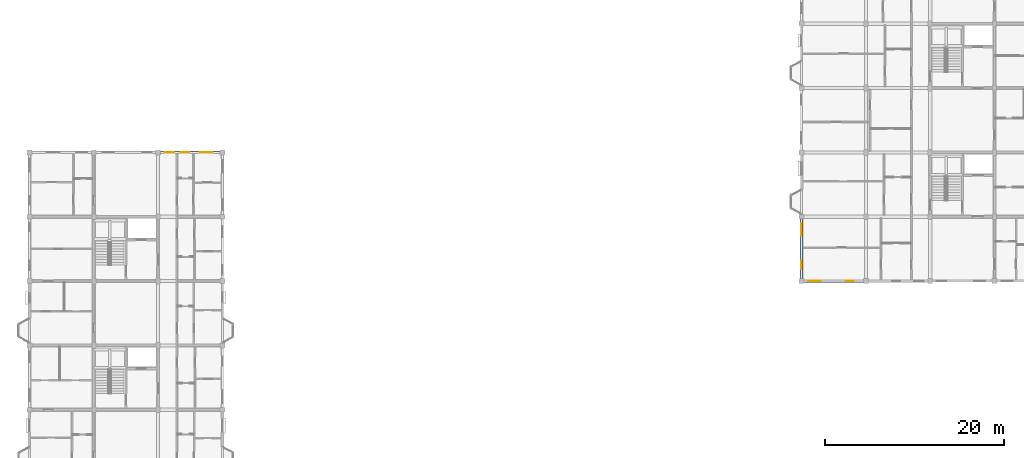
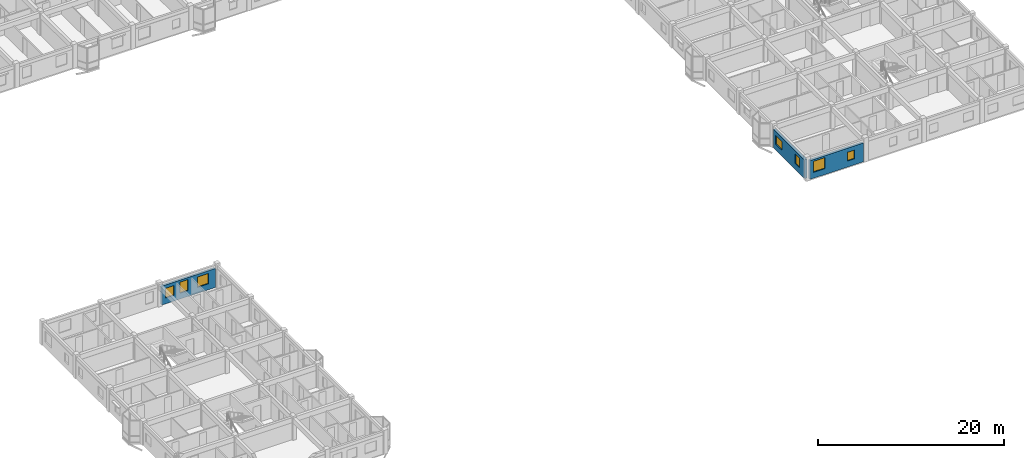
# One storey, part 59 of 77: 7 windows, 3 walls, 7 openings.
"""IFC4 building model written with IfcOpenShell, lengths in metres."""

from ifc_helpers import new_model, si_unit, direction, frame, frame_2d, origin, place, context, subcontext, project, spatial, rectangle, extrude, material, layer, layer_set, type_object, element, fill, save


model = new_model("IFC4")

# Units and contexts
model_context = context("Model", 3, precision=1e-05, world=origin(), true_north=direction((0.0, 1.0)))
body_context = subcontext(model_context, "Body", "Model", "MODEL_VIEW")
ifc_project = project(units=[si_unit("LENGTHUNIT", "METRE"), si_unit("AREAUNIT", "SQUARE_METRE"), si_unit("VOLUMEUNIT", "CUBIC_METRE"), si_unit("PLANEANGLEUNIT", "RADIAN"), si_unit("MASSUNIT", "GRAM", prefix="KILO"), si_unit("THERMODYNAMICTEMPERATUREUNIT", "KELVIN"), si_unit("POWERUNIT", "WATT")], contexts=[model_context])

# Site, building, storey
site_placement = place(None, origin())
site = spatial("IfcSite", under=ifc_project, at=site_placement, CompositionType="ELEMENT")
building_placement = place(site_placement, origin())
building = spatial("IfcBuilding", under=site, at=building_placement, Name="Tavuni Mirador Residences", CompositionType="ELEMENT")
storey_placement = place(building_placement, frame((0.0, 0.0, 10.800048828125)))
storey = spatial("IfcBuildingStorey", under=building, at=storey_placement, Name="L03", CompositionType="ELEMENT", Elevation=10.800048828125)

# Wall, openings, windows
ifc_material_1 = material(Name="Sgraffito lime-rendered precast concrete C40/50", Category="concrete")
ifc_layer_1 = layer(ifc_material_1, 0.2548828125, Name="Sgraffito lime-rendered precast concrete C40/50", Category="concrete")
ifc_layer_set_1 = layer_set([ifc_layer_1], Name="Sgraffito lime-rendered precast concrete C40/50")
wall_type_1 = type_object("IfcWallType", Name="WT-EXT-PC255", PredefinedType="SOLIDWALL", material=ifc_layer_set_1)
wall_1_placement = place(storey_placement, frame((24.925048828125, 100.800048828125, 0.0), z_axis=(0.0, 0.0, 1.0), x_axis=(-1.0, 0.0, 0.0)))
wall_1 = element("IfcWall", 1, at=wall_1_placement, inside=storey, type_object=wall_type_1, Name="EW-BLK-B-L03-N02", PredefinedType="SOLIDWALL", context=body_context, shape_type="SweptSolid", body=[
    extrude(rectangle(XDim=6.650146484375, YDim=0.2548828125, at=frame_2d((3.3251953125, 0.0))), origin(), (0.0, 0.0, 1.0), 2.47998046875),
])
opening_1_placement = place(wall_1_placement, frame((0.862548828125, 0.0, 0.780029296875)))
opening_1 = element("IfcOpeningElement", 2, at=opening_1_placement, cuts=wall_1, Name="Opening WN-23", PredefinedType="OPENING", context=body_context, shape_type="SweptSolid", body=[
    extrude(rectangle(XDim=1.3798828125, YDim=1.360107421875, at=frame_2d((0.68994140625, 0.68017578125))), frame((0.0, 0.137451171875, 0.0), z_axis=(0.0, -1.0, 0.0), x_axis=(1.0, 0.0, 0.0)), (0.0, 0.0, 1.0), 0.27490234375),
])
opening_2_placement = place(wall_1_placement, frame((3.425048828125, 0.0, 0.780029296875)))
opening_2 = element("IfcOpeningElement", 3, at=opening_2_placement, cuts=wall_1, Name="Opening WN-25", PredefinedType="OPENING", context=body_context, shape_type="SweptSolid", body=[
    extrude(rectangle(XDim=0.93994140625, YDim=1.43994140625, at=frame_2d((0.469970703125, 0.719970703125))), frame((0.0, 0.137451171875, 0.0), z_axis=(0.0, -1.0, 0.0), x_axis=(1.0, 0.0, 0.0)), (0.0, 0.0, 1.0), 0.27490234375),
])
opening_3_placement = place(wall_1_placement, frame((5.1474609375, 0.0, 0.780029296875)))
opening_3 = element("IfcOpeningElement", 4, at=opening_3_placement, cuts=wall_1, Name="Opening WN-11", PredefinedType="OPENING", context=body_context, shape_type="SweptSolid", body=[
    extrude(rectangle(XDim=1.0400390625, YDim=1.260009765625, at=frame_2d((0.52001953125, 0.6298828125))), frame((0.0, 0.137451171875, 0.0), z_axis=(0.0, -1.0, 0.0), x_axis=(1.0, 0.0, 0.0)), (0.0, 0.0, 1.0), 0.27490234375),
])
ifc_material_2 = material(Name="Laminated solar-control glass", Category="glass")
window_type_1 = type_object("IfcWindowType", Name="WNT-11", PartitioningType="SINGLE_PANEL", PredefinedType="WINDOW", material=ifc_material_2)
window_1_placement = place(opening_3_placement, origin())
window_1 = element("IfcWindow", 5, at=window_1_placement, inside=storey, type_object=window_type_1, Name="WIN-0651", OverallHeight=1.260009765625, OverallWidth=1.0400390625, PartitioningType="SINGLE_PANEL", PredefinedType="WINDOW", context=body_context, shape_type="SweptSolid", body=[
    extrude(rectangle(XDim=1.0400390625, YDim=1.260009765625, at=frame_2d((0.52001953125, 0.6298828125))), frame((0.0, 0.030029296875, 0.0), z_axis=(0.0, -1.0, 0.0), x_axis=(1.0, 0.0, 0.0)), (0.0, 0.0, 1.0), 0.06005859375),
])
fill(opening_3, window_1)
window_type_2 = type_object("IfcWindowType", Name="WNT-23", PartitioningType="SINGLE_PANEL", PredefinedType="WINDOW", material=ifc_material_2)
window_2_placement = place(opening_1_placement, origin())
window_2 = element("IfcWindow", 6, at=window_2_placement, inside=storey, type_object=window_type_2, Name="WIN-0649", OverallHeight=1.360107421875, OverallWidth=1.3798828125, PartitioningType="SINGLE_PANEL", PredefinedType="WINDOW", context=body_context, shape_type="SweptSolid", body=[
    extrude(rectangle(XDim=1.3798828125, YDim=1.360107421875, at=frame_2d((0.68994140625, 0.68017578125))), frame((0.0, 0.030029296875, 0.0), z_axis=(0.0, -1.0, 0.0), x_axis=(1.0, 0.0, 0.0)), (0.0, 0.0, 1.0), 0.06005859375),
])
fill(opening_1, window_2)
window_type_3 = type_object("IfcWindowType", Name="WNT-25", PartitioningType="SINGLE_PANEL", PredefinedType="WINDOW", material=ifc_material_2)
window_3_placement = place(opening_2_placement, origin())
window_3 = element("IfcWindow", 7, at=window_3_placement, inside=storey, type_object=window_type_3, Name="WIN-0650", OverallHeight=1.43994140625, OverallWidth=0.93994140625, PartitioningType="SINGLE_PANEL", PredefinedType="WINDOW", context=body_context, shape_type="SweptSolid", body=[
    extrude(rectangle(XDim=0.93994140625, YDim=1.43994140625, at=frame_2d((0.469970703125, 0.719970703125))), frame((0.0, 0.030029296875, 0.0), z_axis=(0.0, -1.0, 0.0), x_axis=(1.0, 0.0, 0.0)), (0.0, 0.0, 1.0), 0.06005859375),
])
fill(opening_2, window_3)

ifc_layer_2 = layer(ifc_material_1, 0.2900390625, Name="Sgraffito lime-rendered precast concrete C40/50", Category="concrete")
ifc_layer_set_2 = layer_set([ifc_layer_2], Name="Sgraffito lime-rendered precast concrete C40/50")
wall_type_2 = type_object("IfcWallType", Name="WT-EXT-PC290", PredefinedType="SOLIDWALL", material=ifc_layer_set_2)
wall_2_placement = place(storey_placement, frame((90.27490234375, 86.39990234375, 0.0), z_axis=(0.0, 0.0, 1.0), x_axis=(1.0, 0.0, 0.0)))
wall_2 = element("IfcWall", 8, at=wall_2_placement, inside=storey, type_object=wall_type_2, Name="EW-BLK-D-L03-S00", PredefinedType="SOLIDWALL", context=body_context, shape_type="SweptSolid", body=[
    extrude(rectangle(XDim=6.650146484375, YDim=0.2900390625, at=frame_2d((3.3251953125, 0.0))), origin(), (0.0, 0.0, 1.0), 2.4599609375),
])
opening_4_placement = place(wall_2_placement, frame((0.449951171875, 0.0, 0.780029296875)))
opening_4 = element("IfcOpeningElement", 9, at=opening_4_placement, cuts=wall_2, Name="Opening WN-30", PredefinedType="OPENING", context=body_context, shape_type="SweptSolid", body=[
    extrude(rectangle(XDim=1.449951171875, YDim=1.43994140625, at=frame_2d((0.72509765625, 0.719970703125))), frame((0.0, 0.155029296875, 0.0), z_axis=(0.0, -1.0, 0.0), x_axis=(1.0, 0.0, 0.0)), (0.0, 0.0, 1.0), 0.31005859375),
])
opening_5_placement = place(wall_2_placement, frame((4.64990234375, 0.0, 0.780029296875)))
opening_5 = element("IfcOpeningElement", 10, at=opening_5_placement, cuts=wall_2, Name="Opening WN-02", PredefinedType="OPENING", context=body_context, shape_type="SweptSolid", body=[
    extrude(rectangle(XDim=0.919921875, YDim=1.14990234375, at=frame_2d((0.4599609375, 0.574951171875))), frame((0.0, 0.155029296875, 0.0), z_axis=(0.0, -1.0, 0.0), x_axis=(1.0, 0.0, 0.0)), (0.0, 0.0, 1.0), 0.31005859375),
])
window_type_4 = type_object("IfcWindowType", Name="WNT-02", PartitioningType="SINGLE_PANEL", PredefinedType="WINDOW", material=ifc_material_2)
window_4_placement = place(opening_5_placement, origin())
window_4 = element("IfcWindow", 11, at=window_4_placement, inside=storey, type_object=window_type_4, Name="WIN-1527", OverallHeight=1.14990234375, OverallWidth=0.919921875, PartitioningType="SINGLE_PANEL", PredefinedType="WINDOW", context=body_context, shape_type="SweptSolid", body=[
    extrude(rectangle(XDim=0.919921875, YDim=1.14990234375, at=frame_2d((0.4599609375, 0.574951171875))), frame((0.0, 0.030029296875, 0.0), z_axis=(0.0, -1.0, 0.0), x_axis=(1.0, 0.0, 0.0)), (0.0, 0.0, 1.0), 0.06005859375),
])
fill(opening_5, window_4)
window_type_5 = type_object("IfcWindowType", Name="WNT-30", PartitioningType="SINGLE_PANEL", PredefinedType="WINDOW", material=ifc_material_2)
window_5_placement = place(opening_4_placement, origin())
window_5 = element("IfcWindow", 12, at=window_5_placement, inside=storey, type_object=window_type_5, Name="WIN-1526", OverallHeight=1.43994140625, OverallWidth=1.449951171875, PartitioningType="SINGLE_PANEL", PredefinedType="WINDOW", context=body_context, shape_type="SweptSolid", body=[
    extrude(rectangle(XDim=1.449951171875, YDim=1.43994140625, at=frame_2d((0.72509765625, 0.719970703125))), frame((0.0, 0.030029296875, 0.0), z_axis=(0.0, -1.0, 0.0), x_axis=(1.0, 0.0, 0.0)), (0.0, 0.0, 1.0), 0.06005859375),
])
fill(opening_4, window_5)

wall_3_placement = place(storey_placement, frame((90.0, 93.324951171875, 0.0), z_axis=(0.0, 0.0, 1.0), x_axis=(0.0, -1.0, 0.0)))
wall_3 = element("IfcWall", 13, at=wall_3_placement, inside=storey, type_object=wall_type_2, Name="EW-BLK-D-L03-W00", PredefinedType="SOLIDWALL", context=body_context, shape_type="SweptSolid", body=[
    extrude(rectangle(XDim=6.64990234375, YDim=0.2900390625, at=frame_2d((3.324951171875, 0.0))), origin(), (0.0, 0.0, 1.0), 2.4599609375),
])
opening_6_placement = place(wall_3_placement, frame((0.449951171875, 0.0, 0.780029296875)))
opening_6 = element("IfcOpeningElement", 14, at=opening_6_placement, cuts=wall_3, Name="Opening WN-08", PredefinedType="OPENING", context=body_context, shape_type="SweptSolid", body=[
    extrude(rectangle(XDim=1.39990234375, YDim=1.14990234375, at=frame_2d((0.699951171875, 0.574951171875))), frame((0.0, 0.155029296875, 0.0), z_axis=(0.0, -1.0, 0.0), x_axis=(1.0, 0.0, 0.0)), (0.0, 0.0, 1.0), 0.31005859375),
])
opening_7_placement = place(wall_3_placement, frame((4.64990234375, 0.0, 0.780029296875)))
opening_7 = element("IfcOpeningElement", 15, at=opening_7_placement, cuts=wall_3, Name="Opening WN-10", PredefinedType="OPENING", context=body_context, shape_type="SweptSolid", body=[
    extrude(rectangle(XDim=0.9599609375, YDim=1.260009765625, at=frame_2d((0.47998046875, 0.6298828125))), frame((0.0, 0.155029296875, 0.0), z_axis=(0.0, -1.0, 0.0), x_axis=(1.0, 0.0, 0.0)), (0.0, 0.0, 1.0), 0.31005859375),
])
window_type_6 = type_object("IfcWindowType", Name="WNT-08", PartitioningType="SINGLE_PANEL", PredefinedType="WINDOW", material=ifc_material_2)
window_6_placement = place(opening_6_placement, origin())
window_6 = element("IfcWindow", 16, at=window_6_placement, inside=storey, type_object=window_type_6, Name="WIN-1564", OverallHeight=1.14990234375, OverallWidth=1.39990234375, PartitioningType="SINGLE_PANEL", PredefinedType="WINDOW", context=body_context, shape_type="SweptSolid", body=[
    extrude(rectangle(XDim=1.39990234375, YDim=1.14990234375, at=frame_2d((0.699951171875, 0.574951171875))), frame((0.0, 0.030029296875, 0.0), z_axis=(0.0, -1.0, 0.0), x_axis=(1.0, 0.0, 0.0)), (0.0, 0.0, 1.0), 0.06005859375),
])
fill(opening_6, window_6)
window_type_7 = type_object("IfcWindowType", Name="WNT-10", PartitioningType="SINGLE_PANEL", PredefinedType="WINDOW", material=ifc_material_2)
window_7_placement = place(opening_7_placement, origin())
window_7 = element("IfcWindow", 17, at=window_7_placement, inside=storey, type_object=window_type_7, Name="WIN-1565", OverallHeight=1.260009765625, OverallWidth=0.9599609375, PartitioningType="SINGLE_PANEL", PredefinedType="WINDOW", context=body_context, shape_type="SweptSolid", body=[
    extrude(rectangle(XDim=0.9599609375, YDim=1.260009765625, at=frame_2d((0.47998046875, 0.6298828125))), frame((0.0, 0.030029296875, 0.0), z_axis=(0.0, -1.0, 0.0), x_axis=(1.0, 0.0, 0.0)), (0.0, 0.0, 1.0), 0.06005859375),
])
fill(opening_7, window_7)

save(model, "model.ifc")
